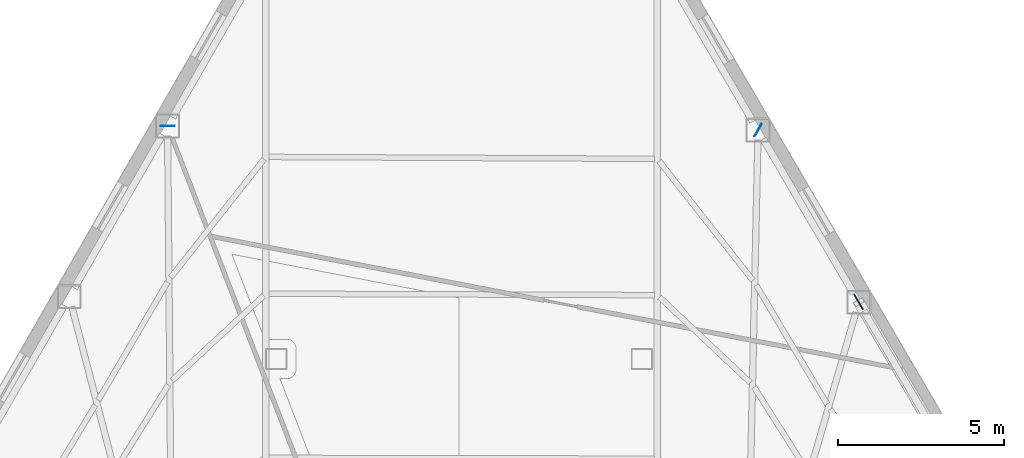
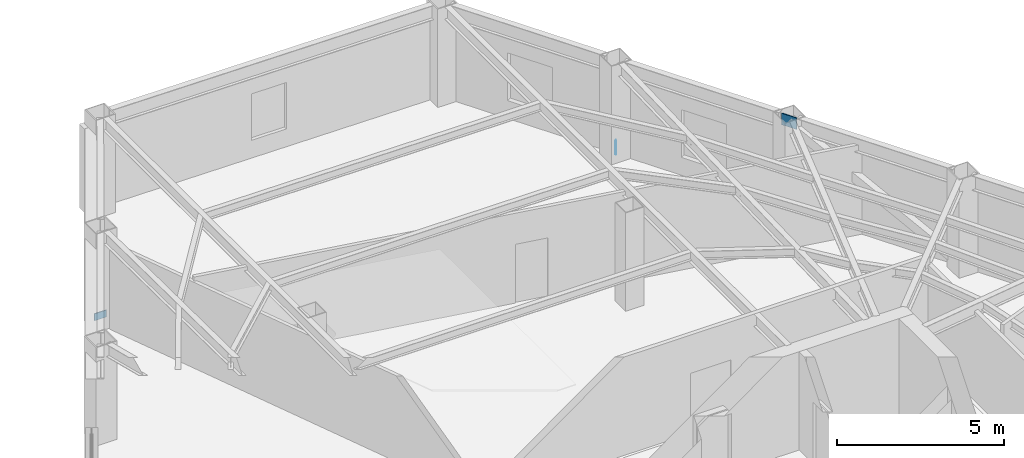
# One storey, part 7 of 12: 3 plates.
"""IFC4 building model written with IfcOpenShell, lengths in metres."""

from ifc_helpers import new_model, si_unit, direction, frame, origin, origin_2d, place, context, subcontext, project, spatial, rectangle, extrude, material, layer, layer_set, type_object, element, save


model = new_model("IFC4")

# Units and contexts
model_context = context("Model", 3, precision=1e-05, world=origin(), true_north=direction((0.0, 1.0)))
body_context = subcontext(model_context, "Body", "Model", "MODEL_VIEW")
ifc_project = project(units=[si_unit("LENGTHUNIT", "METRE"), si_unit("AREAUNIT", "SQUARE_METRE"), si_unit("VOLUMEUNIT", "CUBIC_METRE"), si_unit("PLANEANGLEUNIT", "RADIAN"), si_unit("MASSUNIT", "GRAM", prefix="KILO")], contexts=[model_context])

# Site, building, storey
site_placement = place(None, origin())
site = spatial("IfcSite", under=ifc_project, at=site_placement, CompositionType="ELEMENT")
building_placement = place(site_placement, origin())
building = spatial("IfcBuilding", under=site, at=building_placement, Name="Kavelnor Concourse Tower", CompositionType="ELEMENT")
storey_placement = place(building_placement, frame((0.0, 0.0, 120.14990234375)))
storey = spatial("IfcBuildingStorey", under=building, at=storey_placement, Name="L30", CompositionType="ELEMENT", Elevation=120.14990234375)

# Plates
ifc_material = material(Name="Steel Grade 350", Category="steel")
ifc_layer_1 = layer(ifc_material, 0.031982421875, Name="Steel Grade 350")
ifc_layer_set_1 = layer_set([ifc_layer_1], Name="Steel Grade 350")
plate_type_1 = type_object("IfcPlateType", Name="PL-GUSSET-TUBE-Z1", PredefinedType="USERDEFINED", material=ifc_layer_set_1)
plate_placement = place(storey_placement, frame((50.02001953125, 33.5166015625, 3.12353515625), z_axis=(0.0, 0.0, 1.0), x_axis=(-0.50513026462, 0.863043113503, 0.0)))
element("IfcPlate", 1, at=plate_placement, inside=storey, type_object=plate_type_1, Name="L30 Tube Brace Gusset GP3 F2-B3 End Gusset B", ObjectType="GUSSET_PLATE", PredefinedType="USERDEFINED", context=body_context, shape_type="SweptSolid", body=[
    extrude(rectangle(XDim=0.52001953125, YDim=0.031982421875, at=origin_2d()), origin(), (0.0, 0.0, 1.0), 0.419921875),
])
ifc_layer_2 = layer(ifc_material, 0.02490234375, Name="Steel Grade 350")
ifc_layer_set_2 = layer_set([ifc_layer_2], Name="Steel Grade 350")
plate_type_2 = type_object("IfcPlateType", Name="PL-SPLICE-FLANGE", PredefinedType="SHEET", material=ifc_layer_set_2)
for number, where, z_axis, x_axis, name in (
    (2, (29.225830078125, 38.80908203125, 0.169921875), (0.0, 0.0, 1.0), (1.0, 0.0, 0.0), "L30 Column Flange Splice Plate F0-B1"),
    (3, (46.99560546875, 38.68408203125, 0.169921875), (0.0, 0.0, 1.0), (-0.5, -0.866025403784, 0.0), "L30 Column Flange Splice Plate F2-B5"),
):
    element("IfcPlate", number, at=place(storey_placement, frame(where, z_axis=z_axis, x_axis=x_axis)), inside=storey, type_object=plate_type_2, Name=name, PredefinedType="SHEET", context=body_context, shape_type="SweptSolid", body=[
        extrude(rectangle(XDim=0.419921875, YDim=0.02490234375, at=origin_2d()), origin(), (0.0, 0.0, 1.0), 0.260009765625),
    ])

save(model, "model.ifc")
